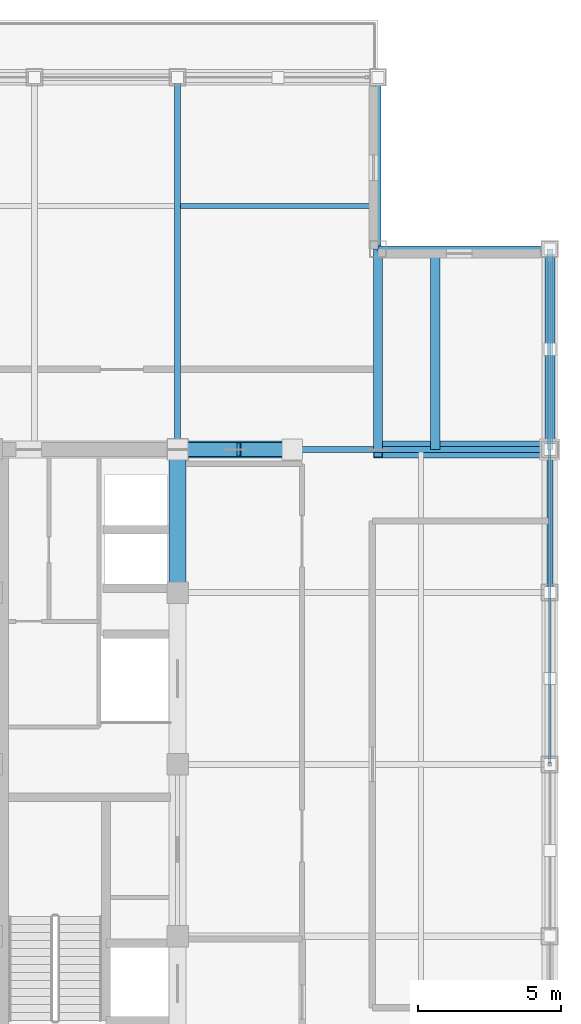
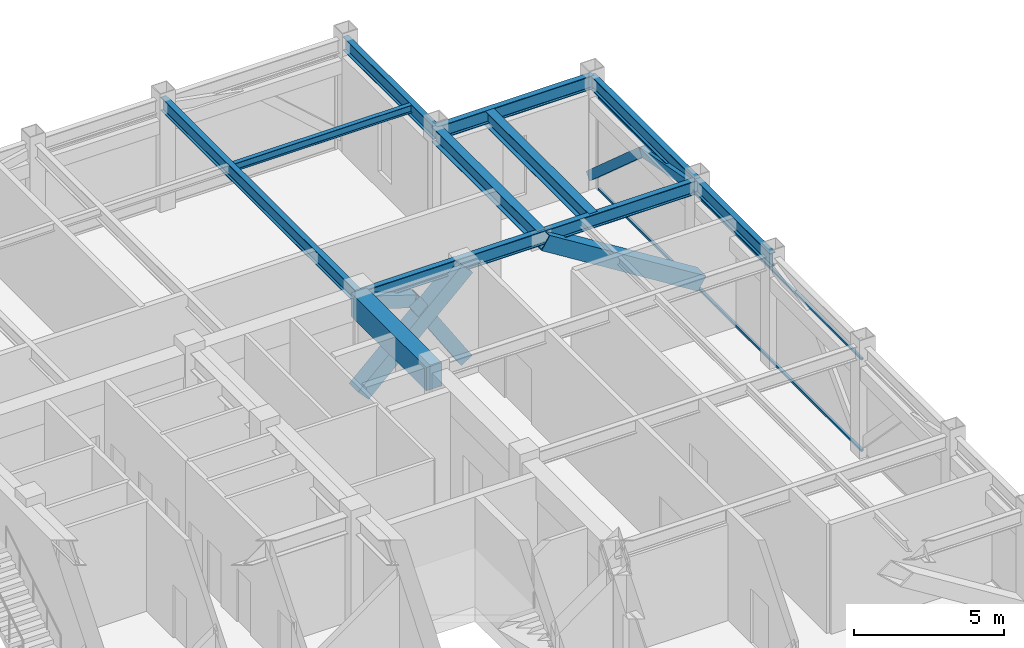
# One storey, part 19 of 32: 10 beams, 8 members, 1 element without a shape of its own.
"""IFC4 building model written with IfcOpenShell, lengths in metres."""

from ifc_helpers import new_model, si_unit, direction, frame, origin, origin_2d, place, context, subcontext, project, spatial, rectangle, hollow_rectangle, i_section, extrude, source, transform, mapped, material, material_profile, profile_set, type_object, element, aggregate, save


model = new_model("IFC4")

# Units and contexts
model_context = context("Model", 3, precision=1e-05, world=origin(), true_north=direction((0.0, 1.0)))
body_context = subcontext(model_context, "Body", "Model", "MODEL_VIEW")
ifc_project = project(units=[si_unit("LENGTHUNIT", "METRE"), si_unit("AREAUNIT", "SQUARE_METRE"), si_unit("VOLUMEUNIT", "CUBIC_METRE"), si_unit("PLANEANGLEUNIT", "RADIAN"), si_unit("MASSUNIT", "GRAM", prefix="KILO")], contexts=[model_context])

# Site, building, storey
site_placement = place(None, origin())
site = spatial("IfcSite", under=ifc_project, at=site_placement, CompositionType="ELEMENT")
building_placement = place(site_placement, origin())
building = spatial("IfcBuilding", under=site, at=building_placement, Name="Khorayat Bourse Tower", CompositionType="ELEMENT")
storey_placement = place(building_placement, frame((0.0, 0.0, 375.5)))
storey = spatial("IfcBuildingStorey", under=building, at=storey_placement, Name="L89", CompositionType="ELEMENT", Elevation=375.5)

# Member
ifc_material_1 = material(Name="Steel EN 10025-4 S460M", Category="steel")
ifc_material_profile_1 = material_profile(ifc_material_1, hollow_rectangle(XDim=0.5, YDim=0.5, WallThickness=0.028076171875, at=origin_2d()), Name="HSS 500x500x28")
ifc_profile_set_1 = profile_set([ifc_material_profile_1], Name="Steel EN 10025-4 S460M")
member_type_1 = type_object("IfcMemberType", Name="MBR-TRUSS-500", PredefinedType="CHORD", material=ifc_profile_set_1)
shared_shape_1 = source(origin(), body_context, "Body", "SweptSolid", [
    extrude(hollow_rectangle(XDim=0.5, YDim=0.5, WallThickness=0.028076171875, at=origin_2d()), origin(), (0.0, 0.0, 1.0), 3.68896484375),
])
member_1_placement = place(storey_placement, frame((13.0, 11.0, 3.449951171875), z_axis=(0.542144958519, 0.0, -0.840284977822), x_axis=(0.0, 1.0, 0.0)))
element("IfcMember", 1, at=member_1_placement, inside=storey, type_object=member_type_1, Name="L89 Plant Belt Web Diagonal 08", PredefinedType="CHORD", context=body_context, shape_type="MappedRepresentation", body=[
    mapped(shared_shape_1, transform((0.0, 0.0, 0.0), scale=1.0)),
])

# Beams
ifc_material_2 = material(Name="Concrete C60/75", Category="concrete")
ifc_material_profile_2 = material_profile(ifc_material_2, rectangle(XDim=0.60009765625, YDim=0.949951171875, at=origin_2d()), Name="RC 600x950")
ifc_profile_set_2 = profile_set([ifc_material_profile_2], Name="Concrete C60/75")
beam_type_1 = type_object("IfcBeamType", Name="BM-COUP-950", PredefinedType="BEAM", material=ifc_profile_set_2)
shared_shape_2 = source(origin(), body_context, "Body", "SweptSolid", [
    extrude(rectangle(XDim=0.60009765625, YDim=0.949951171875, at=origin_2d()), origin(), (0.0, 0.0, 1.0), 5.0),
])
beam_1_placement = place(storey_placement, frame((11.0, 6.0, 3.97509765625), z_axis=(0.0, 1.0, 0.0), x_axis=(-1.0, 0.0, 0.0)))
element("IfcBeam", 2, at=beam_1_placement, inside=storey, type_object=beam_type_1, Name="L89 BM-COUP-950 BM-L89-CRX-16", PredefinedType="BEAM", context=body_context, shape_type="MappedRepresentation", body=[
    mapped(shared_shape_2, transform((0.0, 0.0, 0.0), scale=1.0)),
])
ifc_material_3 = material(Name="Steel ASTM A992 Grade 50", Category="steel")
ifc_material_profile_3 = material_profile(ifc_material_3, i_section(OverallWidth=0.214111328125, OverallDepth=0.549072265625, WebThickness=0.0146484375, FlangeThickness=0.023681640625, FilletRadius=0.013916015625, at=origin_2d()), Name="W530X138")
ifc_profile_set_3 = profile_set([ifc_material_profile_3], Name="Steel ASTM A992 Grade 50")
beam_type_2 = type_object("IfcBeamType", Name="BM-SPAN-530", PredefinedType="SPANDREL", material=ifc_profile_set_3)
shared_shape_3 = source(origin(), body_context, "Body", "SweptSolid", [
    extrude(i_section(OverallWidth=0.214111328125, OverallDepth=0.549072265625, WebThickness=0.0146484375, FlangeThickness=0.023681640625, FilletRadius=0.013916015625, at=origin_2d()), origin(), (0.0, 0.0, 1.0), 5.0),
])
beam_2_placement = place(storey_placement, frame((24.0, 6.0, 4.175537109375), z_axis=(0.0, 1.0, 0.0), x_axis=(-1.0, 0.0, 0.0)))
element("IfcBeam", 3, at=beam_2_placement, inside=storey, type_object=beam_type_2, Name="L89 BM-SPAN-530 BM-L89-SPN-036", PredefinedType="SPANDREL", context=body_context, shape_type="MappedRepresentation", body=[
    mapped(shared_shape_3, transform((0.0, 0.0, 0.0), scale=1.0)),
])
shared_shape_4 = source(origin(), body_context, "Body", "SweptSolid", [
    extrude(i_section(OverallWidth=0.214111328125, OverallDepth=0.549072265625, WebThickness=0.0146484375, FlangeThickness=0.023681640625, FilletRadius=0.013916015625, at=origin_2d()), origin(), (0.0, 0.0, 1.0), 6.0),
])
for number, where, z_axis, x_axis, name in (
    (4, (18.0, 18.0, 4.175537109375), (1.0, 0.0, 0.0), (0.0, 1.0, 0.0), "L89 BM-SPAN-530 BM-L89-SPN-038"),
    (5, (18.0, 18.0, 4.175537109375), (0.0, 1.0, 0.0), (-1.0, 0.0, 0.0), "L89 BM-SPAN-530 BM-L89-SPN-039"),
):
    element("IfcBeam", number, at=place(storey_placement, frame(where, z_axis=z_axis, x_axis=x_axis)), inside=storey, type_object=beam_type_2, Name=name, PredefinedType="SPANDREL", context=body_context, shape_type="MappedRepresentation", body=[
        mapped(shared_shape_4, transform((0.0, 0.0, 0.0), scale=1.0)),
    ])
shared_shape_5 = source(origin(), body_context, "Body", "SweptSolid", [
    extrude(i_section(OverallWidth=0.214111328125, OverallDepth=0.549072265625, WebThickness=0.0146484375, FlangeThickness=0.023681640625, FilletRadius=0.013916015625, at=origin_2d()), origin(), (0.0, 0.0, 1.0), 7.0),
])
beam_3_placement = place(storey_placement, frame((24.0, 11.0, 4.175537109375), z_axis=(0.0, 1.0, 0.0), x_axis=(-1.0, 0.0, 0.0)))
element("IfcBeam", 6, at=beam_3_placement, inside=storey, type_object=beam_type_2, Name="L89 BM-SPAN-530 BM-L89-SPN-037", PredefinedType="SPANDREL", context=body_context, shape_type="MappedRepresentation", body=[
    mapped(shared_shape_5, transform((0.0, 0.0, 0.0), scale=1.0)),
])
ifc_material_profile_4 = material_profile(ifc_material_3, i_section(OverallWidth=0.214111328125, OverallDepth=0.549072265625, WebThickness=0.0146484375, FlangeThickness=0.023681640625, FilletRadius=0.013916015625, at=origin_2d()), Name="W530X138")
ifc_profile_set_4 = profile_set([ifc_material_profile_4], Name="Steel ASTM A992 Grade 50")
beam_type_3 = type_object("IfcBeamType", Name="BM-GIRD-530", PredefinedType="BEAM", material=ifc_profile_set_4)
shared_shape_6 = source(origin(), body_context, "Body", "SweptSolid", [
    extrude(i_section(OverallWidth=0.214111328125, OverallDepth=0.549072265625, WebThickness=0.0146484375, FlangeThickness=0.023681640625, FilletRadius=0.013916015625, at=origin_2d()), origin(), (0.0, 0.0, 1.0), 13.0),
])
for number, where, z_axis, x_axis, name in (
    (7, (11.0, 11.0, 4.175537109375), (0.0, 1.0, 0.0), (-1.0, 0.0, 0.0), "L89 BM-GIRD-530 BM-L89-RADY-064"),
    (8, (11.0, 11.0, 4.175537109375), (1.0, 0.0, 0.0), (0.0, 1.0, 0.0), "L89 BM-GIRD-530 BM-L89-RADX-074"),
):
    element("IfcBeam", number, at=place(storey_placement, frame(where, z_axis=z_axis, x_axis=x_axis)), inside=storey, type_object=beam_type_3, Name=name, PredefinedType="BEAM", context=body_context, shape_type="MappedRepresentation", body=[
        mapped(shared_shape_6, transform((0.0, 0.0, 0.0), scale=1.0)),
    ])
ifc_material_profile_5 = material_profile(ifc_material_3, i_section(OverallWidth=0.324951171875, OverallDepth=0.615966796875, WebThickness=0.013916015625, FlangeThickness=0.021484375, FilletRadius=0.01611328125, at=origin_2d()), Name="W610X174")
ifc_profile_set_5 = profile_set([ifc_material_profile_5], Name="Steel ASTM A992 Grade 50")
beam_type_4 = type_object("IfcBeamType", Name="BM-GIRD-610", PredefinedType="BEAM", material=ifc_profile_set_5)
shared_shape_7 = source(origin(), body_context, "Body", "SweptSolid", [
    extrude(i_section(OverallWidth=0.324951171875, OverallDepth=0.615966796875, WebThickness=0.013916015625, FlangeThickness=0.021484375, FilletRadius=0.01611328125, at=origin_2d()), origin(), (0.0, 0.0, 1.0), 7.0),
])
for number, where, z_axis, x_axis, name in (
    (9, (18.0, 11.0, 4.14208984375), (0.0, 1.0, 0.0), (-1.0, 0.0, 0.0), "L89 BM-GIRD-610 BM-L89-CNRY-079"),
    (10, (20.0, 11.0, 4.14208984375), (0.0, 1.0, 0.0), (-1.0, 0.0, 0.0), "L89 BM-GIRD-610 BM-L89-CNRY-083"),
):
    element("IfcBeam", number, at=place(storey_placement, frame(where, z_axis=z_axis, x_axis=x_axis)), inside=storey, type_object=beam_type_4, Name=name, PredefinedType="BEAM", context=body_context, shape_type="MappedRepresentation", body=[
        mapped(shared_shape_7, transform((0.0, 0.0, 0.0), scale=1.0)),
    ])
ifc_material_profile_6 = material_profile(ifc_material_3, i_section(OverallWidth=0.1669921875, OverallDepth=0.31689453125, WebThickness=0.007568359375, FlangeThickness=0.01318359375, FilletRadius=0.010009765625, at=origin_2d()), Name="W310X52")
ifc_profile_set_6 = profile_set([ifc_material_profile_6], Name="Steel ASTM A992 Grade 50")
beam_type_5 = type_object("IfcBeamType", Name="BM-JOIST-310", PredefinedType="JOIST", material=ifc_profile_set_6)
shared_shape_8 = source(origin(), body_context, "Body", "SweptSolid", [
    extrude(i_section(OverallWidth=0.1669921875, OverallDepth=0.31689453125, WebThickness=0.007568359375, FlangeThickness=0.01318359375, FilletRadius=0.010009765625, at=origin_2d()), origin(), (0.0, 0.0, 1.0), 6.81005859375),
])
beam_4_placement = place(storey_placement, frame((11.094970703125, 19.5, 4.29150390625), z_axis=(1.0, 0.0, 0.0), x_axis=(0.0, 1.0, 0.0)))
element("IfcBeam", 11, at=beam_4_placement, inside=storey, type_object=beam_type_5, Name="L89 BM-JOIST-310 BM-L89-JSTX-089", PredefinedType="JOIST", context=body_context, shape_type="MappedRepresentation", body=[
    mapped(shared_shape_8, transform((0.0, 0.0, 0.0), scale=1.0)),
])

# Members
ifc_material_profile_7 = material_profile(ifc_material_1, hollow_rectangle(XDim=0.60009765625, YDim=0.60009765625, WallThickness=0.034912109375, at=origin_2d()), Name="BOX 600x600x35")
ifc_profile_set_7 = profile_set([ifc_material_profile_7], Name="Steel EN 10025-4 S460M")
member_type_2 = type_object("IfcMemberType", Name="MBR-OUTRIG-600", PredefinedType="BRACE", material=ifc_profile_set_7)
shared_shape_9 = source(origin(), body_context, "Body", "SweptSolid", [
    extrude(hollow_rectangle(XDim=0.60009765625, YDim=0.60009765625, WallThickness=0.034912109375, at=origin_2d()), origin(), (0.0, 0.0, 1.0), 5.48291015625),
])
member_2_placement = place(storey_placement, frame((11.0, 11.0, 0.35009765625), z_axis=(0.72953720414, 0.0, 0.683941128881), x_axis=(0.0, 1.0, 0.0)))
element("IfcMember", 12, at=member_2_placement, inside=storey, type_object=member_type_2, Name="L89 Outrigger Truss Diagonal 07", PredefinedType="BRACE", context=body_context, shape_type="MappedRepresentation", body=[
    mapped(shared_shape_9, transform((0.0, 0.0, 0.0), scale=1.0)),
])
shared_shape_10 = source(origin(), body_context, "Body", "SweptSolid", [
    extrude(hollow_rectangle(XDim=0.60009765625, YDim=0.60009765625, WallThickness=0.034912109375, at=origin_2d()), origin(), (0.0, 0.0, 1.0), 7.075439453125),
])
member_3_placement = place(storey_placement, frame((18.0, 11.0, 4.10009765625), z_axis=(0.847998304005, 0.0, -0.529998940003), x_axis=(0.0, 1.0, 0.0)))
element("IfcMember", 13, at=member_3_placement, inside=storey, type_object=member_type_2, Name="L89 Outrigger Truss Diagonal 08", PredefinedType="BRACE", context=body_context, shape_type="MappedRepresentation", body=[
    mapped(shared_shape_10, transform((0.0, 0.0, 0.0), scale=1.0)),
])
shared_shape_11 = source(origin(), body_context, "Body", "SweptSolid", [
    extrude(hollow_rectangle(XDim=0.5, YDim=0.5, WallThickness=0.028076171875, at=origin_2d()), origin(), (0.0, 0.0, 1.0), 2.10302734375),
])
member_4_placement = place(storey_placement, frame((11.0, 11.0, 4.10009765625), z_axis=(0.951013591662, 0.0, -0.309149071606), x_axis=(0.0, 1.0, 0.0)))
element("IfcMember", 14, at=member_4_placement, inside=storey, type_object=member_type_1, Name="L89 Plant Belt Web Diagonal 07", PredefinedType="CHORD", context=body_context, shape_type="MappedRepresentation", body=[
    mapped(shared_shape_11, transform((0.0, 0.0, 0.0), scale=1.0)),
])
ifc_material_4 = material(Name="Steel EN 10025-2 S355J2", Category="steel")
ifc_material_profile_8 = material_profile(ifc_material_4, hollow_rectangle(XDim=0.35009765625, YDim=0.35009765625, WallThickness=0.02001953125, at=origin_2d()), Name="HSS 350x350x20")
ifc_profile_set_8 = profile_set([ifc_material_profile_8], Name="Steel EN 10025-2 S355J2")
member_type_3 = type_object("IfcMemberType", Name="MBR-CROWN-350", PredefinedType="USERDEFINED", material=ifc_profile_set_8)
shared_shape_12 = source(origin(), body_context, "Body", "SweptSolid", [
    extrude(hollow_rectangle(XDim=0.35009765625, YDim=0.35009765625, WallThickness=0.02001953125, at=origin_2d()), origin(), (0.0, 0.0, 1.0), 3.559814453125),
])
member_5_placement = place(storey_placement, frame((24.0, 11.0, 4.10009765625), z_axis=(0.0, 0.983181348138, -0.18263197057), x_axis=(-1.0, 0.0, 0.0)))
element("IfcMember", 15, at=member_5_placement, inside=storey, type_object=member_type_3, Name="L89 Lantern Crown Frame Member 27", ObjectType="CROWN FRAME", PredefinedType="USERDEFINED", context=body_context, shape_type="MappedRepresentation", body=[
    mapped(shared_shape_12, transform((0.0, 0.0, 0.0), scale=1.0)),
])
shared_shape_13 = source(origin(), body_context, "Body", "SweptSolid", [
    extrude(hollow_rectangle(XDim=0.35009765625, YDim=0.35009765625, WallThickness=0.02001953125, at=origin_2d()), origin(), (0.0, 0.0, 1.0), 4.67529296875),
])
member_6_placement = place(storey_placement, frame((24.0, 14.5, 3.449951171875), z_axis=(0.0, 0.748603730842, -0.663017687675), x_axis=(-1.0, 0.0, 0.0)))
element("IfcMember", 16, at=member_6_placement, inside=storey, type_object=member_type_3, Name="L89 Lantern Crown Frame Member 28", ObjectType="CROWN FRAME", PredefinedType="USERDEFINED", context=body_context, shape_type="MappedRepresentation", body=[
    mapped(shared_shape_13, transform((0.0, 0.0, 0.0), scale=1.0)),
])

# Curtain wall, members
ifc_material_5 = material(Name="Aluminium EN AW-6063 T6", Category="aluminium")
curtain_wall_type = type_object("IfcCurtainWallType", Name="CW-SYS-07", PredefinedType="NOTDEFINED", material=ifc_material_5)
curtain_wall_placement = place(storey_placement, origin())
curtain_wall = element("IfcCurtainWall", 17, at=curtain_wall_placement, inside=storey, type_object=curtain_wall_type, Name="L89 Curtain Wall CW-L89-E1", PredefinedType="NOTDEFINED")
ifc_material_profile_9 = material_profile(ifc_material_5, hollow_rectangle(XDim=0.090087890625, YDim=0.090087890625, WallThickness=0.00390625, at=origin_2d()), Name="ALU 90x90x4")
ifc_profile_set_9 = profile_set([ifc_material_profile_9], Name="Aluminium EN AW-6063 T6")
member_type_4 = type_object("IfcMemberType", Name="CWT-HORZ-90", PredefinedType="USERDEFINED", material=ifc_profile_set_9)
shared_shape_14 = source(origin(), body_context, "Body", "SweptSolid", [
    extrude(hollow_rectangle(XDim=0.090087890625, YDim=0.090087890625, WallThickness=0.00390625, at=origin_2d()), origin(), (0.0, 0.0, 1.0), 17.5),
])
member_7_placement = place(storey_placement, frame((24.0, 0.050048828125, 0.044921875), z_axis=(0.0, 1.0, 0.0), x_axis=(-1.0, 0.0, 0.0)))
member_7 = element("IfcMember", 18, at=member_7_placement, type_object=member_type_4, Name="CW-L89-E1 Horizontal Transom 2-1", ObjectType="TRANSOM", PredefinedType="USERDEFINED", context=body_context, shape_type="MappedRepresentation", body=[
    mapped(shared_shape_14, transform((0.0, 0.0, 0.0), scale=1.0)),
])
member_8_placement = place(storey_placement, frame((24.0, 0.050048828125, 3.7548828125), z_axis=(0.0, 1.0, 0.0), x_axis=(-1.0, 0.0, 0.0)))
member_8 = element("IfcMember", 19, at=member_8_placement, type_object=member_type_4, Name="CW-L89-E1 Horizontal Transom 2-2", ObjectType="TRANSOM", PredefinedType="USERDEFINED", context=body_context, shape_type="MappedRepresentation", body=[
    mapped(shared_shape_14, transform((0.0, 0.0, 0.0), scale=1.0)),
])
aggregate(curtain_wall, [member_7, member_8])

save(model, "model.ifc")
